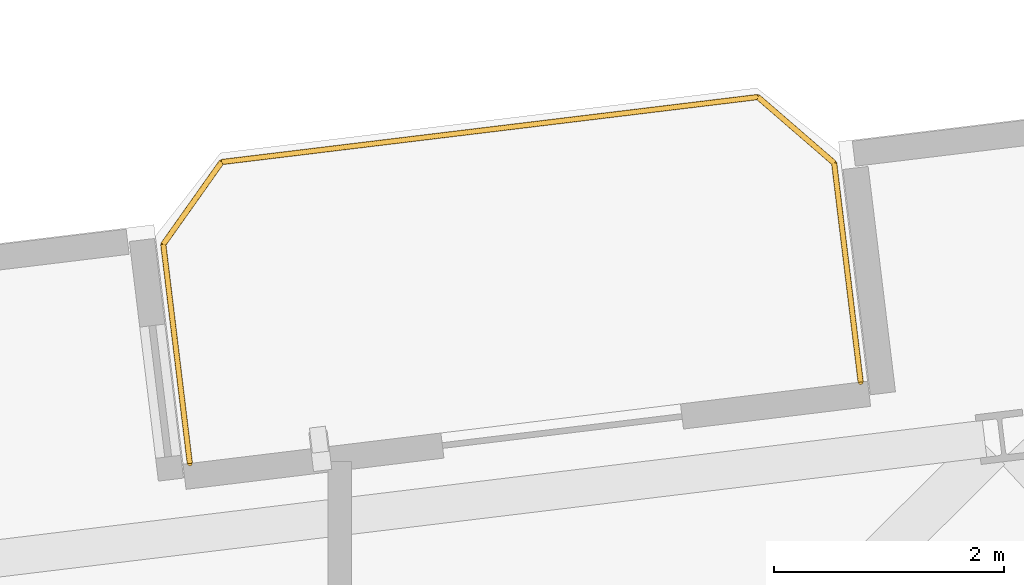
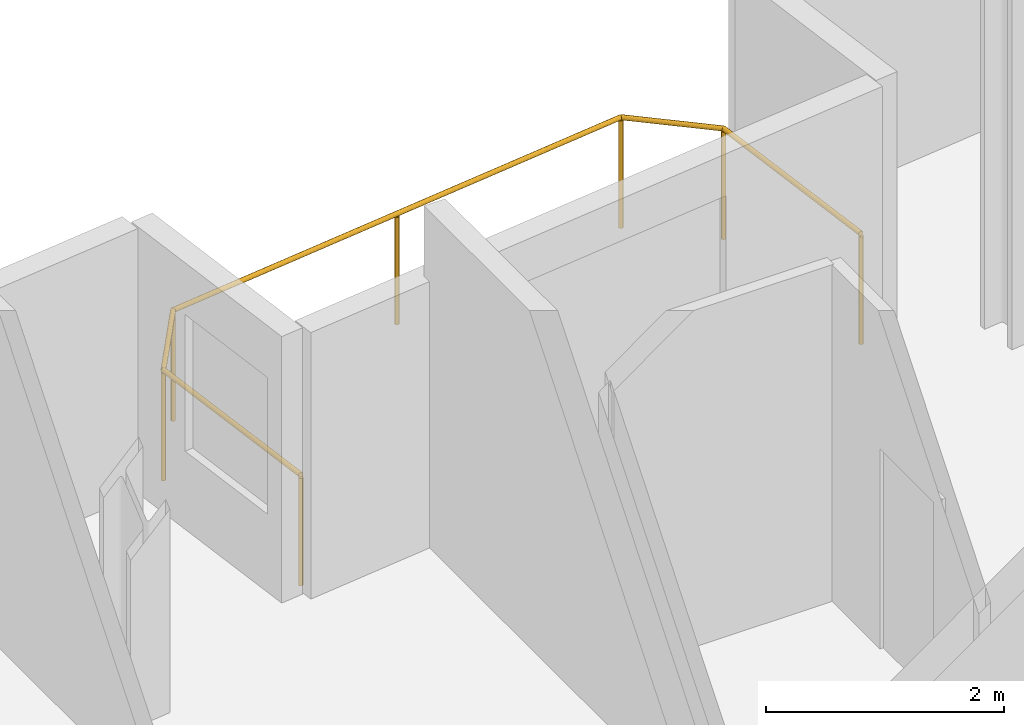
# One storey, part 22 of 22: 1 railing.
"""IFC4 building model written with IfcOpenShell, lengths in metres."""

from ifc_helpers import new_model, si_unit, direction, frame, origin, origin_2d, place, context, subcontext, project, spatial, circle, extrude, material, type_object, element, save


model = new_model("IFC4")

# Units and contexts
model_context = context("Model", 3, precision=1e-05, world=origin(), true_north=direction((0.0, 1.0)))
body_context = subcontext(model_context, "Body", "Model", "MODEL_VIEW")
ifc_project = project(units=[si_unit("LENGTHUNIT", "METRE"), si_unit("AREAUNIT", "SQUARE_METRE"), si_unit("VOLUMEUNIT", "CUBIC_METRE"), si_unit("PLANEANGLEUNIT", "RADIAN"), si_unit("MASSUNIT", "GRAM", prefix="KILO")], contexts=[model_context])

# Site, building, storey
site_placement = place(None, origin())
site = spatial("IfcSite", under=ifc_project, at=site_placement, CompositionType="ELEMENT")
building_placement = place(site_placement, origin())
building = spatial("IfcBuilding", under=site, at=building_placement, Name="Varnelok Gate Tower", CompositionType="ELEMENT")
storey_placement = place(building_placement, frame((0.0, 0.0, 178.300048828125)))
storey = spatial("IfcBuildingStorey", under=building, at=storey_placement, Name="L45", CompositionType="ELEMENT", Elevation=178.300048828125)

# Railing
ifc_material = material(Name="Low-E Laminated Double Glazing IGU", Category="glass")
railing_type = type_object("IfcRailingType", Name="RL-BALC-1150", PredefinedType="BALUSTRADE", material=ifc_material)
railing_placement = place(storey_placement, frame((48.19384765625, 46.335205078125, 0.0)))
element("IfcRailing", 1, at=railing_placement, inside=storey, type_object=railing_type, Name="L45 North Terrace Balustrade 6", PredefinedType="BALUSTRADE", context=body_context, shape_type="SweptSolid", body=[
    extrude(circle(Radius=0.02392578125, at=origin_2d()), frame((0.0, 0.0, 1.1259765625), z_axis=(-0.120293392036, 0.992738384386, 0.0), x_axis=(-0.992738384386, -0.120293392036, 0.0)), (0.0, 0.0, 1.0), 1.919921875),
    extrude(circle(Radius=0.02392578125, at=origin_2d()), frame((-0.23095703125, 1.906005859375, 1.1259765625), z_axis=(0.577971037086, 0.816057277579, 0.0), x_axis=(-0.816057277579, 0.577971037086, 0.0)), (0.0, 0.0, 1.0), 0.877685546875),
    extrude(circle(Radius=0.02392578125, at=origin_2d()), frame((0.2763671875, 2.622314453125, 1.1259765625), z_axis=(0.99273133746, 0.120351533534, 0.0), x_axis=(-0.120351533534, 0.99273133746, 0.0)), (0.0, 0.0, 1.0), 4.7001953125),
    extrude(circle(Radius=0.02392578125, at=origin_2d()), frame((4.9423828125, 3.18798828125, 1.1259765625), z_axis=(0.756303655992, -0.654220742513, 0.0), x_axis=(0.654220742513, 0.756303655992, 0.0)), (0.0, 0.0, 1.0), 0.877685546875),
    extrude(circle(Radius=0.02392578125, at=origin_2d()), frame((5.606201171875, 2.61376953125, 1.1259765625), z_axis=(0.120293392036, -0.992738384386, 0.0), x_axis=(0.992738384386, 0.120293392036, 0.0)), (0.0, 0.0, 1.0), 1.919921875),
    extrude(circle(Radius=0.02099609375, at=origin_2d()), origin(), (0.0, 0.0, 1.0), 1.101806640625),
    extrude(circle(Radius=0.02099609375, at=origin_2d()), frame((-0.23095703125, 1.906005859375, 0.0)), (0.0, 0.0, 1.0), 1.101806640625),
    extrude(circle(Radius=0.02099609375, at=origin_2d()), frame((0.2763671875, 2.622314453125, 0.0)), (0.0, 0.0, 1.0), 1.101806640625),
    extrude(circle(Radius=0.02099609375, at=origin_2d()), frame((2.609375, 2.9052734375, 0.0)), (0.0, 0.0, 1.0), 1.101806640625),
    extrude(circle(Radius=0.02099609375, at=origin_2d()), frame((4.9423828125, 3.18798828125, 0.0)), (0.0, 0.0, 1.0), 1.101806640625),
    extrude(circle(Radius=0.02099609375, at=origin_2d()), frame((5.606201171875, 2.61376953125, 0.0)), (0.0, 0.0, 1.0), 1.101806640625),
    extrude(circle(Radius=0.02099609375, at=origin_2d()), frame((5.837158203125, 0.707763671875, 0.0)), (0.0, 0.0, 1.0), 1.101806640625),
])

save(model, "model.ifc")
